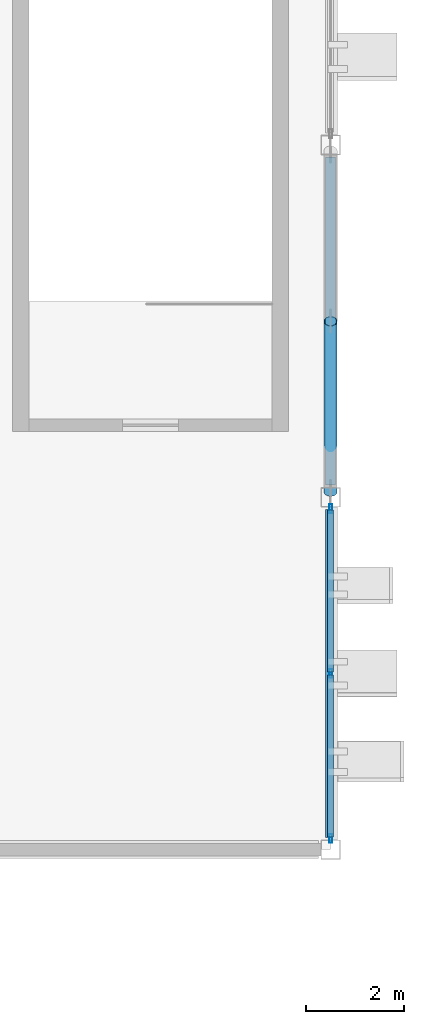
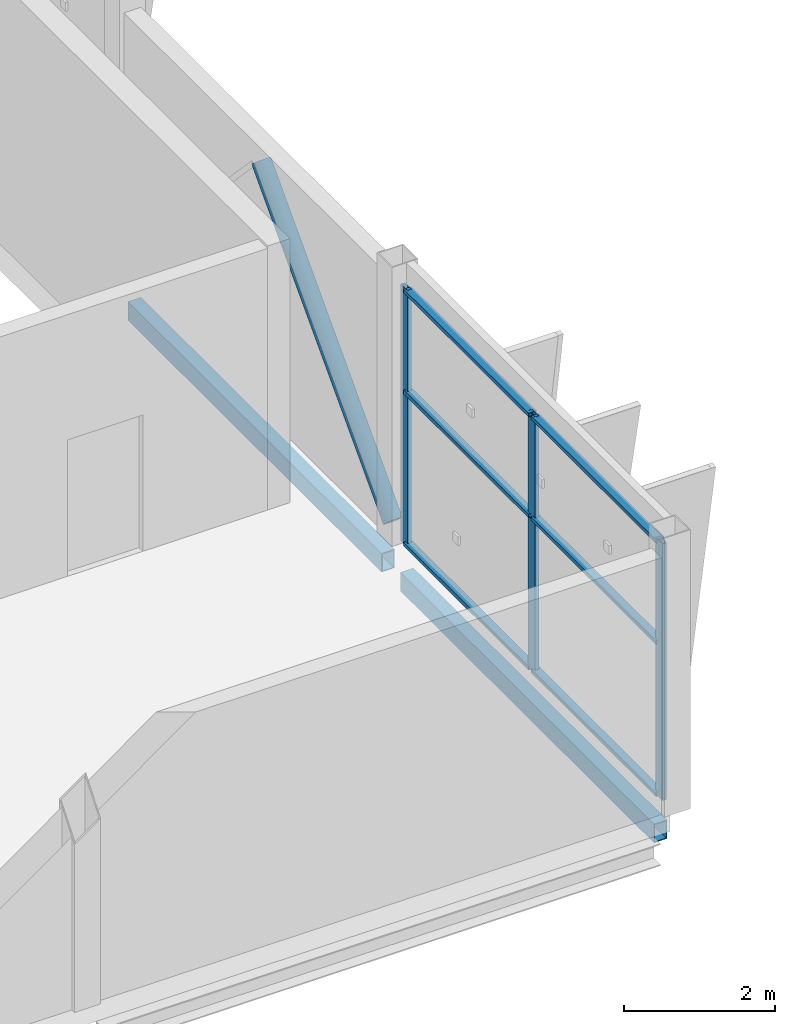
# One storey, part 64 of 151: 10 members, 2 beams, 1 element without a shape of its own.
"""IFC4 building model written with IfcOpenShell, lengths in metres."""

from ifc_helpers import new_model, si_unit, direction, frame, origin, origin_2d, place, context, subcontext, project, spatial, hollow_rectangle, hollow_circle, extrude, material, layer, layer_set, material_profile, profile_set, type_object, element, aggregate, save


model = new_model("IFC4")

# Units and contexts
model_context = context("Model", 3, precision=1e-05, world=origin(), true_north=direction((0.0, 1.0)))
body_context = subcontext(model_context, "Body", "Model", "MODEL_VIEW")
ifc_project = project(units=[si_unit("LENGTHUNIT", "METRE"), si_unit("AREAUNIT", "SQUARE_METRE"), si_unit("VOLUMEUNIT", "CUBIC_METRE"), si_unit("PLANEANGLEUNIT", "RADIAN"), si_unit("MASSUNIT", "GRAM", prefix="KILO")], contexts=[model_context])

# Site, building, storey
site_placement = place(None, origin())
site = spatial("IfcSite", under=ifc_project, at=site_placement, CompositionType="ELEMENT")
building_placement = place(site_placement, origin())
building = spatial("IfcBuilding", under=site, at=building_placement, Name="Celestram Park Convention Centre", CompositionType="ELEMENT")
storey_placement = place(building_placement, frame((0.0, 0.0, 10.800048828125)))
storey = spatial("IfcBuildingStorey", under=building, at=storey_placement, Name="L02", CompositionType="ELEMENT", Elevation=10.800048828125)

# Curtain wall, members
ifc_material_1 = material(Name="Anodised Aluminium Alloy 6063-T6", Category="aluminium")
ifc_layer = layer(ifc_material_1, 0.179931640625)
ifc_layer_set = layer_set([ifc_layer], Name="Anodised Aluminium Alloy 6063-T6")
curtain_wall_type = type_object("IfcCurtainWallType", Name="ARC-CW-680X414", PredefinedType="NOTDEFINED", material=ifc_layer_set)
curtain_wall_placement = place(storey_placement, origin())
curtain_wall = element("IfcCurtainWall", 1, at=curtain_wall_placement, inside=storey, type_object=curtain_wall_type, Name="Unitised curtain wall CU-L02-175", PredefinedType="NOTDEFINED")
ifc_material_profile_1 = material_profile(ifc_material_1, hollow_rectangle(XDim=0.06494140625, YDim=0.179931640625, WallThickness=0.00390625, at=origin_2d()), Name="ALU65X180X4")
ifc_profile_set_1 = profile_set([ifc_material_profile_1], Name="Anodised Aluminium Alloy 6063-T6")
member_type_1 = type_object("IfcMemberType", Name="ARC-CWM-150", PredefinedType="MULLION", material=ifc_profile_set_1)
member_1_placement = place(storey_placement, frame((216.0, 122.16943359375, 0.0), z_axis=(0.0, 0.0, 1.0), x_axis=(1.0, 0.0, 0.0)))
member_1 = element("IfcMember", 2, at=member_1_placement, type_object=member_type_1, Name="CW-68X41 mullion 1", PredefinedType="MULLION", context=body_context, shape_type="SweptSolid", body=[
    extrude(hollow_rectangle(XDim=0.06494140625, YDim=0.179931640625, WallThickness=0.00390625, at=origin_2d()), origin(), (0.0, 0.0, 1.0), 4.14404296875),
])
member_2_placement = place(storey_placement, frame((216.0, 118.800048828125, 0.0), z_axis=(0.0, 0.0, 1.0), x_axis=(1.0, 0.0, 0.0)))
member_2 = element("IfcMember", 3, at=member_2_placement, type_object=member_type_1, Name="CW-68X41 mullion 2", PredefinedType="MULLION", context=body_context, shape_type="SweptSolid", body=[
    extrude(hollow_rectangle(XDim=0.06494140625, YDim=0.179931640625, WallThickness=0.00390625, at=origin_2d()), origin(), (0.0, 0.0, 1.0), 4.14404296875),
])
member_3_placement = place(storey_placement, frame((216.0, 115.430419921875, 0.0), z_axis=(0.0, 0.0, 1.0), x_axis=(1.0, 0.0, 0.0)))
member_3 = element("IfcMember", 4, at=member_3_placement, type_object=member_type_1, Name="CW-68X41 mullion 3", PredefinedType="MULLION", context=body_context, shape_type="SweptSolid", body=[
    extrude(hollow_rectangle(XDim=0.06494140625, YDim=0.179931640625, WallThickness=0.00390625, at=origin_2d()), origin(), (0.0, 0.0, 1.0), 4.14404296875),
])
ifc_material_profile_2 = material_profile(ifc_material_1, hollow_rectangle(XDim=0.1201171875, YDim=0.06005859375, WallThickness=0.0029296875, at=origin_2d()), Name="ALU120X60X3")
ifc_profile_set_2 = profile_set([ifc_material_profile_2], Name="Anodised Aluminium Alloy 6063-T6")
member_type_2 = type_object("IfcMemberType", Name="ARC-CWT-120", PredefinedType="USERDEFINED", material=ifc_profile_set_2)
member_4_placement = place(storey_placement, frame((216.0, 122.136962890625, 0.030029296875), z_axis=(0.0, -1.0, 0.0), x_axis=(1.0, 0.0, 0.0)))
member_4 = element("IfcMember", 5, at=member_4_placement, type_object=member_type_2, Name="CW-68X41 transom 1.1", ObjectType="TRANSOM", PredefinedType="USERDEFINED", context=body_context, shape_type="SweptSolid", body=[
    extrude(hollow_rectangle(XDim=0.1201171875, YDim=0.06005859375, WallThickness=0.0029296875, at=origin_2d()), origin(), (0.0, 0.0, 1.0), 3.304443359375),
])
member_5_placement = place(storey_placement, frame((216.0, 122.136962890625, 2.48583984375), z_axis=(0.0, -1.0, 0.0), x_axis=(1.0, 0.0, 0.0)))
member_5 = element("IfcMember", 6, at=member_5_placement, type_object=member_type_2, Name="CW-68X41 transom 1.2", ObjectType="TRANSOM", PredefinedType="USERDEFINED", context=body_context, shape_type="SweptSolid", body=[
    extrude(hollow_rectangle(XDim=0.1201171875, YDim=0.06005859375, WallThickness=0.0029296875, at=origin_2d()), origin(), (0.0, 0.0, 1.0), 3.304443359375),
])
member_6_placement = place(storey_placement, frame((216.0, 122.136962890625, 4.114013671875), z_axis=(0.0, -1.0, 0.0), x_axis=(1.0, 0.0, 0.0)))
member_6 = element("IfcMember", 7, at=member_6_placement, type_object=member_type_2, Name="CW-68X41 transom 1.3", ObjectType="TRANSOM", PredefinedType="USERDEFINED", context=body_context, shape_type="SweptSolid", body=[
    extrude(hollow_rectangle(XDim=0.1201171875, YDim=0.06005859375, WallThickness=0.0029296875, at=origin_2d()), origin(), (0.0, 0.0, 1.0), 3.304443359375),
])
member_7_placement = place(storey_placement, frame((216.0, 118.767578125, 0.030029296875), z_axis=(0.0, -1.0, 0.0), x_axis=(1.0, 0.0, 0.0)))
member_7 = element("IfcMember", 8, at=member_7_placement, type_object=member_type_2, Name="CW-68X41 transom 2.1", ObjectType="TRANSOM", PredefinedType="USERDEFINED", context=body_context, shape_type="SweptSolid", body=[
    extrude(hollow_rectangle(XDim=0.1201171875, YDim=0.06005859375, WallThickness=0.0029296875, at=origin_2d()), origin(), (0.0, 0.0, 1.0), 3.3046875),
])
member_8_placement = place(storey_placement, frame((216.0, 118.767578125, 2.48583984375), z_axis=(0.0, -1.0, 0.0), x_axis=(1.0, 0.0, 0.0)))
member_8 = element("IfcMember", 9, at=member_8_placement, type_object=member_type_2, Name="CW-68X41 transom 2.2", ObjectType="TRANSOM", PredefinedType="USERDEFINED", context=body_context, shape_type="SweptSolid", body=[
    extrude(hollow_rectangle(XDim=0.1201171875, YDim=0.06005859375, WallThickness=0.0029296875, at=origin_2d()), origin(), (0.0, 0.0, 1.0), 3.3046875),
])
member_9_placement = place(storey_placement, frame((216.0, 118.767578125, 4.114013671875), z_axis=(0.0, -1.0, 0.0), x_axis=(1.0, 0.0, 0.0)))
member_9 = element("IfcMember", 10, at=member_9_placement, type_object=member_type_2, Name="CW-68X41 transom 2.3", ObjectType="TRANSOM", PredefinedType="USERDEFINED", context=body_context, shape_type="SweptSolid", body=[
    extrude(hollow_rectangle(XDim=0.1201171875, YDim=0.06005859375, WallThickness=0.0029296875, at=origin_2d()), origin(), (0.0, 0.0, 1.0), 3.3046875),
])
aggregate(curtain_wall, [member_1, member_2, member_3, member_4, member_5, member_6, member_7, member_8, member_9])

# Member
ifc_material_2 = material(Name="Steel ASTM A500 Grade C", Category="steel")
ifc_material_profile_3 = material_profile(ifc_material_2, hollow_circle(Radius=0.136474609375, WallThickness=0.010009765625, at=origin_2d()), Name="CHS273X10")
ifc_profile_set_3 = profile_set([ifc_material_profile_3], Name="Steel ASTM A500 Grade C")
member_type_3 = type_object("IfcMemberType", Name="STR-BRC-CHS273", PredefinedType="BRACE", material=ifc_profile_set_3)
member_10_placement = place(storey_placement, frame((216.0, 122.52001953125, 0.14990234375), z_axis=(0.0, 0.685121777137, 0.728428548653), x_axis=(-1.0, 0.0, 0.0)))
element("IfcMember", 11, at=member_10_placement, inside=storey, type_object=member_type_3, Name="Chevron braced-frame diagonal BF-L02-013", PredefinedType="BRACE", context=body_context, shape_type="SweptSolid", body=[
    extrude(hollow_circle(Radius=0.136474609375, WallThickness=0.010009765625, at=origin_2d()), origin(), (0.0, 0.0, 1.0), 5.079345703125),
])

# Beams
ifc_material_profile_4 = material_profile(ifc_material_2, hollow_rectangle(XDim=0.199951171875, YDim=0.300048828125, WallThickness=0.011962890625, at=origin_2d()), Name="HSS300X200X12")
ifc_profile_set_4 = profile_set([ifc_material_profile_4], Name="Steel ASTM A500 Grade C")
beam_type = type_object("IfcBeamType", Name="STR-SPN-HSS300X200", PredefinedType="SPANDREL", material=ifc_profile_set_4)
for number, where, z_axis, x_axis, name in (
    (12, (216.0, 115.447998046875, -0.570068359375), (0.0, 1.0, 0.0), (-1.0, 0.0, 0.0), "Primary Y-girder BG-L02-0365"),
    (13, (216.0, 122.64794921875, -0.570068359375), (0.0, 1.0, 0.0), (-1.0, 0.0, 0.0), "Primary Y-girder BG-L02-0366"),
):
    element("IfcBeam", number, at=place(storey_placement, frame(where, z_axis=z_axis, x_axis=x_axis)), inside=storey, type_object=beam_type, Name=name, PredefinedType="SPANDREL", context=body_context, shape_type="SweptSolid", body=[
        extrude(hollow_rectangle(XDim=0.199951171875, YDim=0.300048828125, WallThickness=0.011962890625, at=origin_2d()), origin(), (0.0, 0.0, 1.0), 6.7041015625),
    ])

save(model, "model.ifc")
